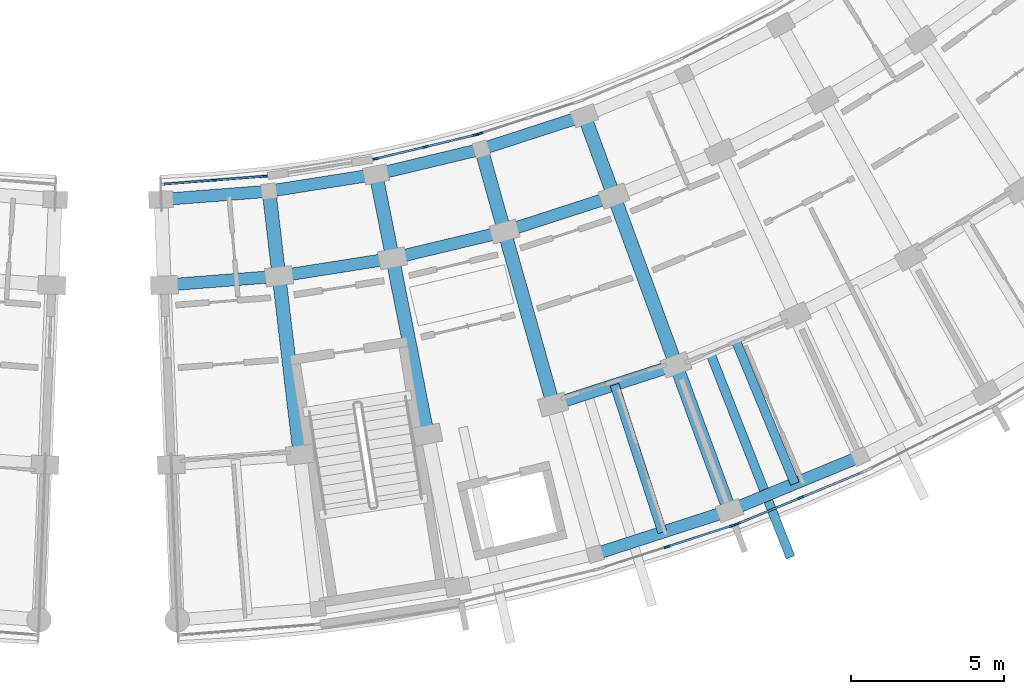
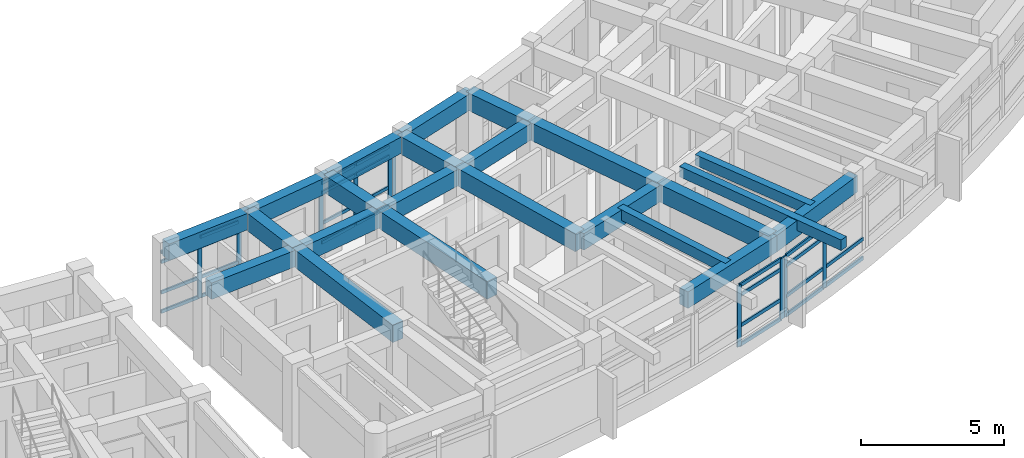
# One storey, part 37 of 83: 36 members, 23 beams, 5 elements without a shape of their own.
"""IFC4 building model written with IfcOpenShell, lengths in metres."""

import ifcopenshell
import ifcopenshell.guid

model = None  # the IFC model being written
_history = None  # IfcOwnerHistory: only IFC2X3 demands one
_inside = {}  # id of a spatial element -> (the spatial element, [elements in it])
_under = {}  # id of a project, library or spatial element -> (it, [spatial elements below it])
_declared = {}  # id of a project -> (the project, [libraries it declares])
_typed = {}  # id of a type object -> (the type object, [elements of that type])
_made_of = {}  # id of a material, layer set ... -> (it, [elements and type objects made of it])


def new_model(schema):
    """Start an empty IFC model of exactly this schema.

    Asked for "IFC4X3", IfcOpenShell would pick the latest addendum, in which some entities
    have other attributes; the version numbers below select the first issue.
    IFC2X3 requires an IfcOwnerHistory on every rooted entity: one is made here for all.
    """
    global model, _history
    if schema == "IFC4X3":
        model = ifcopenshell.file(schema_version=(4, 3, 0, 0))
    else:
        model = ifcopenshell.file(schema=schema)
    _inside.clear()
    _under.clear()
    _declared.clear()
    _typed.clear()
    _made_of.clear()
    _history = None
    if model.schema == "IFC2X3":
        org = make("IfcOrganization", Name="unknown")
        user = make(
            "IfcPersonAndOrganization",
            ThePerson=make("IfcPerson", FamilyName="unknown"),
            TheOrganization=org,
        )
        app = make(
            "IfcApplication",
            ApplicationDeveloper=org,
            Version="unknown",
            ApplicationFullName="unknown",
            ApplicationIdentifier="unknown",
        )
        _history = make(
            "IfcOwnerHistory",
            OwningUser=user,
            OwningApplication=app,
            ChangeAction="ADDED",
            CreationDate=0,
        )
    return model


def make(cls, **values):
    """One entity of the class cls with the attributes given. An attribute that is None is left unset."""
    return model.create_entity(
        cls, **{name: value for name, value in values.items() if value is not None}
    )


def rooted(cls, **values):
    """An entity with a GlobalId (a new one), such as an element, a storey or a relation."""
    return make(cls, GlobalId=ifcopenshell.guid.new(), OwnerHistory=_history, **values)


def si_unit(unit_type, name, prefix=None):
    """IfcSIUnit, for example si_unit("LENGTHUNIT", "METRE", prefix="MILLI")."""
    return make("IfcSIUnit", UnitType=unit_type, Prefix=prefix, Name=name)


def assignment(units):
    """IfcUnitAssignment: the units of a project."""
    return None if units is None else make("IfcUnitAssignment", Units=units)


def point(xyz):
    """IfcCartesianPoint."""
    return None if xyz is None else make("IfcCartesianPoint", Coordinates=xyz)


def direction(xyz):
    """IfcDirection."""
    return None if xyz is None else make("IfcDirection", DirectionRatios=xyz)


def frame(location, z_axis=None, x_axis=None):
    """IfcAxis2Placement3D, a coordinate frame: its origin and axes. An axis left out is left unset."""
    return make(
        "IfcAxis2Placement3D",
        Location=point(location),
        Axis=direction(z_axis),
        RefDirection=direction(x_axis),
    )


def frame_2d(location, x_axis=None):
    """IfcAxis2Placement2D, a coordinate frame in the plane: its origin and x axis."""
    return make(
        "IfcAxis2Placement2D", Location=point(location), RefDirection=direction(x_axis)
    )


def origin():
    """The frame at (0, 0, 0) with its axes left unset."""
    return frame((0.0, 0.0, 0.0))


def origin_2d():
    """The frame at (0, 0) in the plane with its x axis left unset."""
    return frame_2d((0.0, 0.0))


def place(relative_to, where):
    """IfcLocalPlacement: puts the frame where relative to a parent placement (None: the world)."""
    return make(
        "IfcLocalPlacement", PlacementRelTo=relative_to, RelativePlacement=where
    )


def context(
    kind, dimensions, precision=None, world=None, true_north=None, identifier=None
):
    """IfcGeometricRepresentationContext, for example the 3D "Model" context."""
    return make(
        "IfcGeometricRepresentationContext",
        ContextIdentifier=identifier,
        ContextType=kind,
        CoordinateSpaceDimension=dimensions,
        Precision=precision,
        WorldCoordinateSystem=world,
        TrueNorth=true_north,
    )


def subcontext(parent, identifier, kind, view, scale=None):
    """IfcGeometricRepresentationSubContext, for example "Body" below "Model"."""
    return make(
        "IfcGeometricRepresentationSubContext",
        ContextIdentifier=identifier,
        ContextType=kind,
        ParentContext=parent,
        TargetScale=scale,
        TargetView=view,
    )


def project(units=None, contexts=None):
    """IfcProject with its units and contexts."""
    return rooted(
        "IfcProject",
        Name="project",
        RepresentationContexts=contexts,
        UnitsInContext=assignment(units),
    )


def spatial(cls, under=None, at=None, **own):
    """A site, building, storey or space (cls), placed at a placement, below another one or the project."""
    s = rooted(cls, ObjectPlacement=at, **own)
    if under is not None:
        _under.setdefault(under.id(), (under, []))[1].append(s)
    return s


def profile(cls, at=None, kind="AREA", **sizes):
    """A parametric profile (cls). Its sizes go by their IFC names, for example OverallWidth=200.0."""
    return make(cls, ProfileType=kind, Position=at, **sizes)


def rectangle(**sizes):
    """IfcRectangleProfileDef."""
    return profile("IfcRectangleProfileDef", **sizes)


def extrude(swept, where, along, depth):
    """IfcExtrudedAreaSolid: the profile swept, set in the frame where, extruded along a direction by depth."""
    return make(
        "IfcExtrudedAreaSolid",
        SweptArea=swept,
        Position=where,
        ExtrudedDirection=direction(along),
        Depth=depth,
    )


def shape(context_of_items, identifier, shape_type, items):
    """IfcShapeRepresentation: the items that make up one representation, for example the "Body"."""
    return make(
        "IfcShapeRepresentation",
        ContextOfItems=context_of_items,
        RepresentationIdentifier=identifier,
        RepresentationType=shape_type,
        Items=items,
    )


def material(Name=None, Category=None):
    """IfcMaterial."""
    return make("IfcMaterial", Name=Name, Category=Category)


def material_profile(
    of_material, cross_section, Name=None, Category=None, Priority=None
):
    """IfcMaterialProfile: a cross section and its material."""
    return make(
        "IfcMaterialProfile",
        Name=Name,
        Material=of_material,
        Profile=cross_section,
        Priority=Priority,
        Category=Category,
    )


def profile_set(profiles, Name=None, composite=None):
    """IfcMaterialProfileSet."""
    return make(
        "IfcMaterialProfileSet",
        Name=Name,
        MaterialProfiles=profiles,
        CompositeProfile=composite,
    )


def made_of(thing, what):
    """Note that an element or type object is made of a material, layer set ...; save() writes the relation."""
    if what is not None:
        _made_of.setdefault(what.id(), (what, []))[1].append(thing)
    return thing


def type_object(cls, material=None, **own):
    """A type object (cls), such as IfcWallType, which elements share."""
    return made_of(rooted(cls, **own), material)


def element(
    cls,
    number,
    at=None,
    inside=None,
    cuts=None,
    type_object=None,
    material=None,
    context=None,
    identifier="Body",
    shape_type=None,
    held_by="IfcProductDefinitionShape",
    body=None,
    shapes=None,
    **own,
):
    """One element of the class cls, such as IfcWall. Its Tag is "e" and its number.

    at: its placement. inside: the storey or other place that contains it. cuts: it is an
    opening in that element (IfcRelVoidsElement). A single representation is given by context,
    identifier, shape_type and body (its items); several are given by shapes. held_by: the class
    of the entity that holds the representations. save() writes the other relations.
    """
    e = rooted(cls, Tag="e%d" % number, ObjectPlacement=at, **own)
    if body is not None:
        shapes = [shape(context, identifier, shape_type, body)]
    if shapes is not None:
        e.Representation = make(held_by, Representations=shapes)
    if inside is not None:
        _inside.setdefault(inside.id(), (inside, []))[1].append(e)
    if cuts is not None:
        rooted(
            "IfcRelVoidsElement", RelatingBuildingElement=cuts, RelatedOpeningElement=e
        )
    if type_object is not None:
        _typed.setdefault(type_object.id(), (type_object, []))[1].append(e)
    return made_of(e, material)


def aggregate(whole, parts):
    """IfcRelAggregates: a whole, such as a stair, and the parts it consists of."""
    return rooted("IfcRelAggregates", RelatingObject=whole, RelatedObjects=parts)


def save(model, path):
    """Write the relations noted so far, then the file.

    IfcRelAggregates (storeys below a building ...), IfcRelContainedInSpatialStructure (elements
    in a storey), IfcRelDefinesByType, IfcRelAssociatesMaterial and IfcRelDeclares: one each for
    every whole, place, type object, material and project.
    """
    for whole, parts in _under.values():
        aggregate(whole, parts)
    for where, things in _inside.values():
        rooted(
            "IfcRelContainedInSpatialStructure",
            RelatedElements=things,
            RelatingStructure=where,
        )
    for kind, things in _typed.values():
        rooted("IfcRelDefinesByType", RelatedObjects=things, RelatingType=kind)
    for what, things in _made_of.values():
        rooted("IfcRelAssociatesMaterial", RelatedObjects=things, RelatingMaterial=what)
    for by, libraries in _declared.values():
        rooted("IfcRelDeclares", RelatingContext=by, RelatedDefinitions=libraries)
    model.write(path)


model = new_model("IFC4")

# Units and contexts
model_context = context("Model", 3, precision=1e-05, world=origin(), true_north=direction((0.0, 1.0)))
body_context = subcontext(model_context, "Body", "Model", "MODEL_VIEW")
ifc_project = project(units=[si_unit("LENGTHUNIT", "METRE"), si_unit("AREAUNIT", "SQUARE_METRE"), si_unit("VOLUMEUNIT", "CUBIC_METRE"), si_unit("PLANEANGLEUNIT", "RADIAN"), si_unit("MASSUNIT", "GRAM", prefix="KILO")], contexts=[model_context])

# Site, building, storey
site_placement = place(None, origin())
site = spatial("IfcSite", under=ifc_project, at=site_placement, CompositionType="ELEMENT")
building_placement = place(site_placement, origin())
building = spatial("IfcBuilding", under=site, at=building_placement, Name="Zimvara Arc Housing Community", CompositionType="ELEMENT")
storey_placement = place(building_placement, frame((0.0, 0.0, 4.5)))
storey = spatial("IfcBuildingStorey", under=building, at=storey_placement, Name="L01", CompositionType="ELEMENT", Elevation=4.5)

# Beams
ifc_material_1 = material(Name="Concrete C40/50", Category="concrete")
ifc_material_profile_1 = material_profile(ifc_material_1, rectangle(XDim=0.300048828125, YDim=0.449951171875, at=origin_2d()), Name="RC 300x450")
ifc_profile_set_1 = profile_set([ifc_material_profile_1], Name="Concrete C40/50")
beam_type_1 = type_object("IfcBeamType", Name="BM-RC-300x450", PredefinedType="JOIST", material=ifc_profile_set_1)
beam_1_placement = place(storey_placement, frame((142.547607421875, 58.718017578125, 3.135009765625), z_axis=(0.308208278328, -0.951318904033, 0.0), x_axis=(0.951318904033, 0.308208278328, 0.0)))
element("IfcBeam", 1, at=beam_1_placement, inside=storey, type_object=beam_type_1, Name="bm:blkD:L01:joist:b3", PredefinedType="JOIST", context=body_context, shape_type="SweptSolid", body=[
    extrude(rectangle(XDim=0.300048828125, YDim=0.449951171875, at=origin_2d()), origin(), (0.0, 0.0, 1.0), 5.075927734375),
])
beam_2_placement = place(storey_placement, frame((146.509033203125, 60.17578125, 3.135009765625), z_axis=(0.381881623909, -0.924211244966, 0.0), x_axis=(0.924211244966, 0.381881623909, 0.0)))
element("IfcBeam", 2, at=beam_2_placement, inside=storey, type_object=beam_type_1, Name="bm:blkD:L01:joist:b4", PredefinedType="JOIST", context=body_context, shape_type="SweptSolid", body=[
    extrude(rectangle(XDim=0.300048828125, YDim=0.449951171875, at=origin_2d()), origin(), (0.0, 0.0, 1.0), 5.076171875),
])
beam_3_placement = place(storey_placement, frame((145.662841796875, 59.789794921875, 3.1650390625), z_axis=(0.365839634119, -0.930677904598, 0.0), x_axis=(0.930677904598, 0.365839634119, 0.0)))
element("IfcBeam", 3, at=beam_3_placement, inside=storey, type_object=beam_type_1, Name="bm:blkD:L01:cant_out:b4", PredefinedType="JOIST", context=body_context, shape_type="SweptSolid", body=[
    extrude(rectangle(XDim=0.300048828125, YDim=0.449951171875, at=origin_2d()), origin(), (0.0, 0.0, 1.0), 7.219970703125),
])
ifc_material_2 = material(Name="Concrete C40/50", Category="concrete")
ifc_material_profile_2 = material_profile(ifc_material_2, rectangle(XDim=0.39990234375, YDim=0.699951171875, at=origin_2d()), Name="RC 400x700")
ifc_profile_set_2 = profile_set([ifc_material_profile_2], Name="Concrete C40/50")
beam_type_2 = type_object("IfcBeamType", Name="BM-RC-400x700", PredefinedType="BEAM", material=ifc_profile_set_2)
beam_4_placement = place(storey_placement, frame((127.712158203125, 64.773193359375, 3.010009765625), z_axis=(0.996984758472, 0.077597624804, 0.0), x_axis=(-0.077597624804, 0.996984758472, 0.0)))
element("IfcBeam", 4, at=beam_4_placement, inside=storey, type_object=beam_type_2, Name="bm:blkD:L01:chord:r0:b0", PredefinedType="BEAM", context=body_context, shape_type="SweptSolid", body=[
    extrude(rectangle(XDim=0.39990234375, YDim=0.699951171875, at=origin_2d()), origin(), (0.0, 0.0, 1.0), 3.542724609375),
])
beam_5_placement = place(storey_placement, frame((131.244140625, 65.048095703125, 3.010009765625), z_axis=(0.98782044699, 0.155598086453, 0.0), x_axis=(-0.155598086453, 0.98782044699, 0.0)))
element("IfcBeam", 5, at=beam_5_placement, inside=storey, type_object=beam_type_2, Name="bm:blkD:L01:chord:r0:b1", PredefinedType="BEAM", context=body_context, shape_type="SweptSolid", body=[
    extrude(rectangle(XDim=0.39990234375, YDim=0.699951171875, at=origin_2d()), origin(), (0.0, 0.0, 1.0), 3.54296875),
])
for number, where, z_axis, x_axis, name in (
    (6, (134.743896484375, 65.599365234375, 3.010009765625), (0.972576519525, 0.232583132813, 0.0), (-0.232583132813, 0.972576519525, 0.0), "bm:blkD:L01:chord:r0:b2"),
    (7, (138.189453125, 66.42333984375, 3.010009765625), (0.951329887165, 0.308174375618, 0.0), (-0.308174375618, 0.951329887165, 0.0), "bm:blkD:L01:chord:r0:b3"),
):
    element("IfcBeam", number, at=place(storey_placement, frame(where, z_axis=z_axis, x_axis=x_axis)), inside=storey, type_object=beam_type_2, Name=name, PredefinedType="BEAM", context=body_context, shape_type="SweptSolid", body=[
        extrude(rectangle(XDim=0.39990234375, YDim=0.699951171875, at=origin_2d()), origin(), (0.0, 0.0, 1.0), 3.542724609375),
    ])
beam_6_placement = place(storey_placement, frame((127.819580078125, 61.975341796875, 3.010009765625), z_axis=(0.996984223393, 0.077604499263, 0.0), x_axis=(-0.077604499263, 0.996984223393, 0.0)))
element("IfcBeam", 8, at=beam_6_placement, inside=storey, type_object=beam_type_2, Name="bm:blkD:L01:chord:r1:b0", PredefinedType="BEAM", context=body_context, shape_type="SweptSolid", body=[
    extrude(rectangle(XDim=0.39990234375, YDim=0.699951171875, at=origin_2d()), origin(), (0.0, 0.0, 1.0), 3.762451171875),
])
beam_7_placement = place(storey_placement, frame((131.57080078125, 62.267333984375, 3.010009765625), z_axis=(0.987830739488, 0.155532730068, 0.0), x_axis=(-0.155532730068, 0.987830739488, 0.0)))
element("IfcBeam", 9, at=beam_7_placement, inside=storey, type_object=beam_type_2, Name="bm:blkD:L01:chord:r1:b1", PredefinedType="BEAM", context=body_context, shape_type="SweptSolid", body=[
    extrude(rectangle(XDim=0.39990234375, YDim=0.699951171875, at=origin_2d()), origin(), (0.0, 0.0, 1.0), 3.7626953125),
])
beam_8_placement = place(storey_placement, frame((135.28759765625, 62.8525390625, 3.010009765625), z_axis=(0.97257251046, 0.232599896598, 0.0), x_axis=(-0.232599896598, 0.97257251046, 0.0)))
element("IfcBeam", 10, at=beam_8_placement, inside=storey, type_object=beam_type_2, Name="bm:blkD:L01:chord:r1:b2", PredefinedType="BEAM", context=body_context, shape_type="SweptSolid", body=[
    extrude(rectangle(XDim=0.39990234375, YDim=0.699951171875, at=origin_2d()), origin(), (0.0, 0.0, 1.0), 3.762939453125),
])
beam_9_placement = place(storey_placement, frame((138.947265625, 63.727783203125, 3.010009765625), z_axis=(0.951316439628, 0.308215884881, 0.0), x_axis=(-0.308215884881, 0.951316439628, 0.0)))
element("IfcBeam", 11, at=beam_9_placement, inside=storey, type_object=beam_type_2, Name="bm:blkD:L01:chord:r1:b3", PredefinedType="BEAM", context=body_context, shape_type="SweptSolid", body=[
    extrude(rectangle(XDim=0.39990234375, YDim=0.699951171875, at=origin_2d()), origin(), (0.0, 0.0, 1.0), 3.762451171875),
])
beam_10_placement = place(storey_placement, frame((140.538330078125, 58.067138671875, 3.010009765625), z_axis=(0.951319487454, 0.308206477528, 0.0), x_axis=(-0.308206477528, 0.951319487454, 0.0)))
element("IfcBeam", 12, at=beam_10_placement, inside=storey, type_object=beam_type_2, Name="bm:blkD:L01:chord:r2:b3", PredefinedType="BEAM", context=body_context, shape_type="SweptSolid", body=[
    extrude(rectangle(XDim=0.39990234375, YDim=0.699951171875, at=origin_2d()), origin(), (0.0, 0.0, 1.0), 4.224365234375),
])
beam_11_placement = place(storey_placement, frame((141.912841796875, 53.1767578125, 3.010009765625), z_axis=(0.951331650007, 0.308168933695, 0.0), x_axis=(-0.308168933695, 0.951331650007, 0.0)))
element("IfcBeam", 13, at=beam_11_placement, inside=storey, type_object=beam_type_2, Name="bm:blkD:L01:chord:r3:b3", PredefinedType="BEAM", context=body_context, shape_type="SweptSolid", body=[
    extrude(rectangle(XDim=0.39990234375, YDim=0.699951171875, at=origin_2d()), origin(), (0.0, 0.0, 1.0), 4.62353515625),
])
beam_12_placement = place(storey_placement, frame((146.311279296875, 54.6015625, 3.010009765625), z_axis=(0.924218077134, 0.38186508861, 0.0), x_axis=(-0.38186508861, 0.924218077134, 0.0)))
element("IfcBeam", 14, at=beam_12_placement, inside=storey, type_object=beam_type_2, Name="bm:blkD:L01:chord:r3:b4", PredefinedType="BEAM", context=body_context, shape_type="SweptSolid", body=[
    extrude(rectangle(XDim=0.39990234375, YDim=0.699951171875, at=origin_2d()), origin(), (0.0, 0.0, 1.0), 4.623046875),
])
ifc_material_3 = material(Name="Concrete C40/50", Category="concrete")
ifc_material_profile_3 = material_profile(ifc_material_3, rectangle(XDim=0.449951171875, YDim=0.75, at=origin_2d()), Name="RC 450x750")
ifc_profile_set_3 = profile_set([ifc_material_profile_3], Name="Concrete C40/50")
beam_type_3 = type_object("IfcBeamType", Name="BM-RC-450x750", PredefinedType="BEAM", material=ifc_profile_set_3)
beam_13_placement = place(storey_placement, frame((131.244140625, 65.048095703125, 2.985107421875), z_axis=(0.116669233141, -0.993170826212, 0.0), x_axis=(0.993170826212, 0.116669233141, 0.0)))
element("IfcBeam", 15, at=beam_13_placement, inside=storey, type_object=beam_type_3, Name="bm:blkD:L01:rad:b1:r01", PredefinedType="BEAM", context=body_context, shape_type="SweptSolid", body=[
    extrude(rectangle(XDim=0.449951171875, YDim=0.75, at=origin_2d()), origin(), (0.0, 0.0, 1.0), 2.7998046875),
])
beam_14_placement = place(storey_placement, frame((131.57080078125, 62.267333984375, 2.985107421875), z_axis=(0.116672613124, -0.993170429154, 0.0), x_axis=(0.993170429154, 0.116672613124, 0.0)))
element("IfcBeam", 16, at=beam_14_placement, inside=storey, type_object=beam_type_3, Name="bm:blkD:L01:rad:b1:r12", PredefinedType="BEAM", context=body_context, shape_type="SweptSolid", body=[
    extrude(rectangle(XDim=0.449951171875, YDim=0.75, at=origin_2d()), origin(), (0.0, 0.0, 1.0), 5.8798828125),
])
beam_15_placement = place(storey_placement, frame((134.743896484375, 65.599365234375, 2.985107421875), z_axis=(0.194170755423, -0.980967745514, 0.0), x_axis=(0.980967745514, 0.194170755423, 0.0)))
element("IfcBeam", 17, at=beam_15_placement, inside=storey, type_object=beam_type_3, Name="bm:blkD:L01:rad:b2:r01", PredefinedType="BEAM", context=body_context, shape_type="SweptSolid", body=[
    extrude(rectangle(XDim=0.449951171875, YDim=0.75, at=origin_2d()), origin(), (0.0, 0.0, 1.0), 2.800048828125),
])
beam_16_placement = place(storey_placement, frame((135.28759765625, 62.8525390625, 2.985107421875), z_axis=(0.194239306935, -0.980954174078, 0.0), x_axis=(0.980954174078, 0.194239306935, 0.0)))
element("IfcBeam", 18, at=beam_16_placement, inside=storey, type_object=beam_type_3, Name="bm:blkD:L01:rad:b2:r12", PredefinedType="BEAM", context=body_context, shape_type="SweptSolid", body=[
    extrude(rectangle(XDim=0.449951171875, YDim=0.75, at=origin_2d()), origin(), (0.0, 0.0, 1.0), 5.8798828125),
])
beam_17_placement = place(storey_placement, frame((138.189453125, 66.42333984375, 2.985107421875), z_axis=(0.270642050381, -0.962680050986, 0.0), x_axis=(0.962680050986, 0.270642050381, 0.0)))
element("IfcBeam", 19, at=beam_17_placement, inside=storey, type_object=beam_type_3, Name="bm:blkD:L01:rad:b3:r01", PredefinedType="BEAM", context=body_context, shape_type="SweptSolid", body=[
    extrude(rectangle(XDim=0.449951171875, YDim=0.75, at=origin_2d()), origin(), (0.0, 0.0, 1.0), 2.800048828125),
])
beam_18_placement = place(storey_placement, frame((138.947265625, 63.727783203125, 2.985107421875), z_axis=(0.270589260785, -0.962694890372, 0.0), x_axis=(0.962694890372, 0.270589260785, 0.0)))
element("IfcBeam", 20, at=beam_18_placement, inside=storey, type_object=beam_type_3, Name="bm:blkD:L01:rad:b3:r12", PredefinedType="BEAM", context=body_context, shape_type="SweptSolid", body=[
    extrude(rectangle(XDim=0.449951171875, YDim=0.75, at=origin_2d()), origin(), (0.0, 0.0, 1.0), 5.8798828125),
])
beam_19_placement = place(storey_placement, frame((141.559814453125, 67.51513671875, 2.985107421875), z_axis=(0.345297205079, -0.93849338845, 0.0), x_axis=(0.93849338845, 0.345297205079, 0.0)))
element("IfcBeam", 21, at=beam_19_placement, inside=storey, type_object=beam_type_3, Name="bm:blkD:L01:rad:b4:r01", PredefinedType="BEAM", context=body_context, shape_type="SweptSolid", body=[
    extrude(rectangle(XDim=0.449951171875, YDim=0.75, at=origin_2d()), origin(), (0.0, 0.0, 1.0), 2.7998046875),
])
beam_20_placement = place(storey_placement, frame((142.526611328125, 64.887451171875, 2.985107421875), z_axis=(0.345324356241, -0.938483398354, 0.0), x_axis=(0.938483398354, 0.345324356241, 0.0)))
element("IfcBeam", 22, at=beam_20_placement, inside=storey, type_object=beam_type_3, Name="bm:blkD:L01:rad:b4:r12", PredefinedType="BEAM", context=body_context, shape_type="SweptSolid", body=[
    extrude(rectangle(XDim=0.449951171875, YDim=0.75, at=origin_2d()), origin(), (0.0, 0.0, 1.0), 5.880126953125),
])
beam_21_placement = place(storey_placement, frame((144.55712890625, 59.369140625, 2.985107421875), z_axis=(0.345302219392, -0.938491543533, 0.0), x_axis=(0.938491543533, 0.345302219392, 0.0)))
element("IfcBeam", 23, at=beam_21_placement, inside=storey, type_object=beam_type_3, Name="bm:blkD:L01:rad:b4:r23", PredefinedType="BEAM", context=body_context, shape_type="SweptSolid", body=[
    extrude(rectangle(XDim=0.449951171875, YDim=0.75, at=origin_2d()), origin(), (0.0, 0.0, 1.0), 5.080078125),
])

# Curtain wall, members
ifc_material_4 = material(Name="Anodised Aluminium AW-6063", Category="aluminium")
curtain_wall_type_1 = type_object("IfcCurtainWallType", Name="CW-SYS-06", PredefinedType="USERDEFINED", material=ifc_material_4)
curtain_wall_1_placement = place(storey_placement, origin())
curtain_wall_1 = element("IfcCurtainWall", 24, at=curtain_wall_1_placement, inside=storey, type_object=curtain_wall_type_1, Name="cw:blkD:L01:in:b0", ObjectType="CURTAIN WALL", PredefinedType="USERDEFINED")
ifc_material_5 = material(Name="Anodised Aluminium AW-6063", Category="aluminium")
ifc_material_profile_4 = material_profile(ifc_material_5, rectangle(XDim=0.06494140625, YDim=0.179931640625, at=origin_2d()), Name="ALU 65x180")
ifc_profile_set_4 = profile_set([ifc_material_profile_4], Name="Anodised Aluminium AW-6063")
member_type_1 = type_object("IfcMemberType", Name="CWM-65x150", PredefinedType="MULLION", material=ifc_profile_set_4)
member_1_placement = place(storey_placement, frame((129.439453125, 65.40869140625, 0.0), z_axis=(0.0, 0.0, 1.0), x_axis=(-0.077590099579, 0.996985344149, 0.0)))
member_1 = element("IfcMember", 25, at=member_1_placement, type_object=member_type_1, Name="CW06 mullion 2", PredefinedType="MULLION", context=body_context, shape_type="SweptSolid", body=[
    extrude(rectangle(XDim=0.06494140625, YDim=0.179931640625, at=origin_2d()), origin(), (0.0, 0.0, 1.0), 2.60009765625),
])
member_2_placement = place(storey_placement, frame((131.09375, 65.53759765625, 0.0), z_axis=(0.0, 0.0, 1.0), x_axis=(-0.077590099579, 0.996985344149, 0.0)))
member_2 = element("IfcMember", 26, at=member_2_placement, type_object=member_type_1, Name="CW06 mullion 3", PredefinedType="MULLION", context=body_context, shape_type="SweptSolid", body=[
    extrude(rectangle(XDim=0.06494140625, YDim=0.179931640625, at=origin_2d()), origin(), (0.0, 0.0, 1.0), 2.60009765625),
])

ifc_material_6 = material(Name="Anodised Aluminium AW-6063", Category="aluminium")
curtain_wall_type_2 = type_object("IfcCurtainWallType", Name="CW-SYS-08", PredefinedType="USERDEFINED", material=ifc_material_6)
curtain_wall_2_placement = place(storey_placement, origin())
curtain_wall_2 = element("IfcCurtainWall", 27, at=curtain_wall_2_placement, inside=storey, type_object=curtain_wall_type_2, Name="cw:blkD:L01:in:b2", ObjectType="CURTAIN WALL", PredefinedType="USERDEFINED")
member_3_placement = place(storey_placement, frame((134.73681640625, 66.111328125, 0.0), z_axis=(0.0, 0.0, 1.0), x_axis=(-0.232596003485, 0.972573441526, 0.0)))
member_3 = element("IfcMember", 28, at=member_3_placement, type_object=member_type_1, Name="CW08 mullion 1", PredefinedType="MULLION", context=body_context, shape_type="SweptSolid", body=[
    extrude(rectangle(XDim=0.06494140625, YDim=0.179931640625, at=origin_2d()), origin(), (0.0, 0.0, 1.0), 2.60009765625),
])
member_4_placement = place(storey_placement, frame((136.3505859375, 66.497314453125, 0.0), z_axis=(0.0, 0.0, 1.0), x_axis=(-0.232596003485, 0.972573441526, 0.0)))
member_4 = element("IfcMember", 29, at=member_4_placement, type_object=member_type_1, Name="CW08 mullion 2", PredefinedType="MULLION", context=body_context, shape_type="SweptSolid", body=[
    extrude(rectangle(XDim=0.06494140625, YDim=0.179931640625, at=origin_2d()), origin(), (0.0, 0.0, 1.0), 2.60009765625),
])
member_5_placement = place(storey_placement, frame((137.964111328125, 66.88330078125, 0.0), z_axis=(0.0, 0.0, 1.0), x_axis=(-0.232596003485, 0.972573441526, 0.0)))
member_5 = element("IfcMember", 30, at=member_5_placement, type_object=member_type_1, Name="CW08 mullion 3", PredefinedType="MULLION", context=body_context, shape_type="SweptSolid", body=[
    extrude(rectangle(XDim=0.06494140625, YDim=0.179931640625, at=origin_2d()), origin(), (0.0, 0.0, 1.0), 2.60009765625),
])

# Curtain wall, member
ifc_material_7 = material(Name="Anodised Aluminium AW-6063", Category="aluminium")
curtain_wall_type_3 = type_object("IfcCurtainWallType", Name="CW-SYS-02", PredefinedType="USERDEFINED", material=ifc_material_7)
curtain_wall_3_placement = place(storey_placement, origin())
curtain_wall_3 = element("IfcCurtainWall", 31, at=curtain_wall_3_placement, inside=storey, type_object=curtain_wall_type_3, Name="cw:blkD:L01:in:b3", ObjectType="CURTAIN WALL", PredefinedType="USERDEFINED")
member_6_placement = place(storey_placement, frame((138.14208984375, 66.93310546875, 0.0), z_axis=(0.0, 0.0, 1.0), x_axis=(-0.308185223559, 0.951326373008, 0.0)))
member_6 = element("IfcMember", 32, at=member_6_placement, type_object=member_type_1, Name="CW02 mullion 1", PredefinedType="MULLION", context=body_context, shape_type="SweptSolid", body=[
    extrude(rectangle(XDim=0.06494140625, YDim=0.179931640625, at=origin_2d()), origin(), (0.0, 0.0, 1.0), 2.60009765625),
])
aggregate(curtain_wall_3, [member_6])

# Curtain wall, members
ifc_material_8 = material(Name="Anodised Aluminium AW-6063", Category="aluminium")
curtain_wall_type_4 = type_object("IfcCurtainWallType", Name="CW-SYS-01", PredefinedType="USERDEFINED", material=ifc_material_8)
curtain_wall_4_placement = place(storey_placement, origin())
curtain_wall_4 = element("IfcCurtainWall", 33, at=curtain_wall_4_placement, inside=storey, type_object=curtain_wall_type_4, Name="cw:blkD:L01:out:b3", ObjectType="CURTAIN WALL", PredefinedType="USERDEFINED")
ifc_material_9 = material(Name="Anodised Aluminium AW-6063", Category="aluminium")
ifc_material_profile_5 = material_profile(ifc_material_9, rectangle(XDim=0.06494140625, YDim=0.195068359375, at=origin_2d()), Name="ALU 65x195")
ifc_profile_set_5 = profile_set([ifc_material_profile_5], Name="Anodised Aluminium AW-6063")
member_type_2 = type_object("IfcMemberType", Name="CWM-65x180", PredefinedType="MULLION", material=ifc_profile_set_5)
member_7_placement = place(storey_placement, frame((144.26611328125, 53.413818359375, 0.0), z_axis=(0.0, 0.0, 1.0), x_axis=(-0.308184952203, 0.951326460914, 0.0)))
member_7 = element("IfcMember", 34, at=member_7_placement, type_object=member_type_2, Name="CW01 mullion 2", PredefinedType="MULLION", context=body_context, shape_type="SweptSolid", body=[
    extrude(rectangle(XDim=0.06494140625, YDim=0.195068359375, at=origin_2d()), origin(), (0.0, 0.0, 1.0), 2.60009765625),
])
member_8_placement = place(storey_placement, frame((146.395751953125, 54.103759765625, 0.0), z_axis=(0.0, 0.0, 1.0), x_axis=(-0.308184952203, 0.951326460914, 0.0)))
member_8 = element("IfcMember", 35, at=member_8_placement, type_object=member_type_2, Name="CW01 mullion 3", PredefinedType="MULLION", context=body_context, shape_type="SweptSolid", body=[
    extrude(rectangle(XDim=0.06494140625, YDim=0.195068359375, at=origin_2d()), origin(), (0.0, 0.0, 1.0), 2.60009765625),
])

ifc_material_10 = material(Name="Anodised Aluminium AW-6063", Category="aluminium")
curtain_wall_type_5 = type_object("IfcCurtainWallType", Name="CW-SYS-03", PredefinedType="USERDEFINED", material=ifc_material_10)
curtain_wall_5_placement = place(storey_placement, origin())
curtain_wall_5 = element("IfcCurtainWall", 36, at=curtain_wall_5_placement, inside=storey, type_object=curtain_wall_type_5, Name="cw:blkD:L01:out:b4", ObjectType="CURTAIN WALL", PredefinedType="USERDEFINED")
member_9_placement = place(storey_placement, frame((146.5693359375, 54.167724609375, 0.0), z_axis=(0.0, 0.0, 1.0), x_axis=(-0.38187646221, 0.924213377749, 0.0)))
member_9 = element("IfcMember", 37, at=member_9_placement, type_object=member_type_2, Name="CW03 mullion 1", PredefinedType="MULLION", context=body_context, shape_type="SweptSolid", body=[
    extrude(rectangle(XDim=0.06494140625, YDim=0.195068359375, at=origin_2d()), origin(), (0.0, 0.0, 1.0), 2.60009765625),
])
member_10_placement = place(storey_placement, frame((148.638427734375, 55.0224609375, 0.0), z_axis=(0.0, 0.0, 1.0), x_axis=(-0.38187646221, 0.924213377749, 0.0)))
member_10 = element("IfcMember", 38, at=member_10_placement, type_object=member_type_2, Name="CW03 mullion 2", PredefinedType="MULLION", context=body_context, shape_type="SweptSolid", body=[
    extrude(rectangle(XDim=0.06494140625, YDim=0.195068359375, at=origin_2d()), origin(), (0.0, 0.0, 1.0), 2.60009765625),
])

# Member
ifc_material_11 = material(Name="Anodised Aluminium AW-6063", Category="aluminium")
ifc_material_profile_6 = material_profile(ifc_material_11, rectangle(XDim=0.06494140625, YDim=0.139892578125, at=origin_2d()), Name="ALU 65x140")
ifc_profile_set_6 = profile_set([ifc_material_profile_6], Name="Anodised Aluminium AW-6063")
member_type_3 = type_object("IfcMemberType", Name="CWT-65x120", PredefinedType="USERDEFINED", material=ifc_profile_set_6)
member_11_placement = place(storey_placement, frame((127.8173828125, 65.282470703125, 0.032470703125), z_axis=(0.996981987707, 0.077633215753, 0.0), x_axis=(-0.077633215753, 0.996981987707, 0.0)))
member_11 = element("IfcMember", 39, at=member_11_placement, type_object=member_type_3, Name="CW06 transom 1.1", ObjectType="TRANSOM", PredefinedType="USERDEFINED", context=body_context, shape_type="SweptSolid", body=[
    extrude(rectangle(XDim=0.06494140625, YDim=0.139892578125, at=origin_2d()), origin(), (0.0, 0.0, 1.0), 1.594482421875),
])

member_12_placement = place(storey_placement, frame((127.8173828125, 65.282470703125, 0.85009765625), z_axis=(0.996981987707, 0.077633215753, 0.0), x_axis=(-0.077633215753, 0.996981987707, 0.0)))
member_12 = element("IfcMember", 40, at=member_12_placement, type_object=member_type_3, Name="CW06 transom 1.2", ObjectType="TRANSOM", PredefinedType="USERDEFINED", context=body_context, shape_type="SweptSolid", body=[
    extrude(rectangle(XDim=0.06494140625, YDim=0.139892578125, at=origin_2d()), origin(), (0.0, 0.0, 1.0), 1.594482421875),
])

member_13_placement = place(storey_placement, frame((127.8173828125, 65.282470703125, 2.14990234375), z_axis=(0.996981987707, 0.077633215753, 0.0), x_axis=(-0.077633215753, 0.996981987707, 0.0)))
member_13 = element("IfcMember", 41, at=member_13_placement, type_object=member_type_3, Name="CW06 transom 1.3", ObjectType="TRANSOM", PredefinedType="USERDEFINED", context=body_context, shape_type="SweptSolid", body=[
    extrude(rectangle(XDim=0.06494140625, YDim=0.139892578125, at=origin_2d()), origin(), (0.0, 0.0, 1.0), 1.594482421875),
])

member_14_placement = place(storey_placement, frame((127.8173828125, 65.282470703125, 2.5673828125), z_axis=(0.996981987707, 0.077633215753, 0.0), x_axis=(-0.077633215753, 0.996981987707, 0.0)))
member_14 = element("IfcMember", 42, at=member_14_placement, type_object=member_type_3, Name="CW06 transom 1.4", ObjectType="TRANSOM", PredefinedType="USERDEFINED", context=body_context, shape_type="SweptSolid", body=[
    extrude(rectangle(XDim=0.06494140625, YDim=0.139892578125, at=origin_2d()), origin(), (0.0, 0.0, 1.0), 1.594482421875),
])

member_15_placement = place(storey_placement, frame((129.4716796875, 65.411376953125, 0.032470703125), z_axis=(0.996993827762, 0.077481013185, 0.0), x_axis=(-0.077481013185, 0.996993827762, 0.0)))
member_15 = element("IfcMember", 43, at=member_15_placement, type_object=member_type_3, Name="CW06 transom 2.1", ObjectType="TRANSOM", PredefinedType="USERDEFINED", context=body_context, shape_type="SweptSolid", body=[
    extrude(rectangle(XDim=0.06494140625, YDim=0.139892578125, at=origin_2d()), origin(), (0.0, 0.0, 1.0), 1.594482421875),
])

member_16_placement = place(storey_placement, frame((129.4716796875, 65.411376953125, 0.85009765625), z_axis=(0.996993827762, 0.077481013185, 0.0), x_axis=(-0.077481013185, 0.996993827762, 0.0)))
member_16 = element("IfcMember", 44, at=member_16_placement, type_object=member_type_3, Name="CW06 transom 2.2", ObjectType="TRANSOM", PredefinedType="USERDEFINED", context=body_context, shape_type="SweptSolid", body=[
    extrude(rectangle(XDim=0.06494140625, YDim=0.139892578125, at=origin_2d()), origin(), (0.0, 0.0, 1.0), 1.594482421875),
])

member_17_placement = place(storey_placement, frame((129.4716796875, 65.411376953125, 2.14990234375), z_axis=(0.996993827762, 0.077481013185, 0.0), x_axis=(-0.077481013185, 0.996993827762, 0.0)))
member_17 = element("IfcMember", 45, at=member_17_placement, type_object=member_type_3, Name="CW06 transom 2.3", ObjectType="TRANSOM", PredefinedType="USERDEFINED", context=body_context, shape_type="SweptSolid", body=[
    extrude(rectangle(XDim=0.06494140625, YDim=0.139892578125, at=origin_2d()), origin(), (0.0, 0.0, 1.0), 1.594482421875),
])

member_18_placement = place(storey_placement, frame((129.4716796875, 65.411376953125, 2.5673828125), z_axis=(0.996993827762, 0.077481013185, 0.0), x_axis=(-0.077481013185, 0.996993827762, 0.0)))
member_18 = element("IfcMember", 46, at=member_18_placement, type_object=member_type_3, Name="CW06 transom 2.4", ObjectType="TRANSOM", PredefinedType="USERDEFINED", context=body_context, shape_type="SweptSolid", body=[
    extrude(rectangle(XDim=0.06494140625, YDim=0.139892578125, at=origin_2d()), origin(), (0.0, 0.0, 1.0), 1.594482421875),
])

aggregate(curtain_wall_1, [member_1, member_2, member_11, member_12, member_13, member_14, member_15, member_16, member_17, member_18])

member_19_placement = place(storey_placement, frame((134.768310546875, 66.118896484375, 0.032470703125), z_axis=(0.972569101566, 0.232614149784, 0.0), x_axis=(-0.232614149784, 0.972569101566, 0.0)))
member_19 = element("IfcMember", 47, at=member_19_placement, type_object=member_type_3, Name="CW08 transom 1.1", ObjectType="TRANSOM", PredefinedType="USERDEFINED", context=body_context, shape_type="SweptSolid", body=[
    extrude(rectangle(XDim=0.06494140625, YDim=0.139892578125, at=origin_2d()), origin(), (0.0, 0.0, 1.0), 1.59423828125),
])

member_20_placement = place(storey_placement, frame((134.768310546875, 66.118896484375, 0.85009765625), z_axis=(0.972569101566, 0.232614149784, 0.0), x_axis=(-0.232614149784, 0.972569101566, 0.0)))
member_20 = element("IfcMember", 48, at=member_20_placement, type_object=member_type_3, Name="CW08 transom 1.2", ObjectType="TRANSOM", PredefinedType="USERDEFINED", context=body_context, shape_type="SweptSolid", body=[
    extrude(rectangle(XDim=0.06494140625, YDim=0.139892578125, at=origin_2d()), origin(), (0.0, 0.0, 1.0), 1.59423828125),
])

member_21_placement = place(storey_placement, frame((134.768310546875, 66.118896484375, 2.14990234375), z_axis=(0.972569101566, 0.232614149784, 0.0), x_axis=(-0.232614149784, 0.972569101566, 0.0)))
member_21 = element("IfcMember", 49, at=member_21_placement, type_object=member_type_3, Name="CW08 transom 1.3", ObjectType="TRANSOM", PredefinedType="USERDEFINED", context=body_context, shape_type="SweptSolid", body=[
    extrude(rectangle(XDim=0.06494140625, YDim=0.139892578125, at=origin_2d()), origin(), (0.0, 0.0, 1.0), 1.59423828125),
])

member_22_placement = place(storey_placement, frame((134.768310546875, 66.118896484375, 2.5673828125), z_axis=(0.972569101566, 0.232614149784, 0.0), x_axis=(-0.232614149784, 0.972569101566, 0.0)))
member_22 = element("IfcMember", 50, at=member_22_placement, type_object=member_type_3, Name="CW08 transom 1.4", ObjectType="TRANSOM", PredefinedType="USERDEFINED", context=body_context, shape_type="SweptSolid", body=[
    extrude(rectangle(XDim=0.06494140625, YDim=0.139892578125, at=origin_2d()), origin(), (0.0, 0.0, 1.0), 1.59423828125),
])

member_23_placement = place(storey_placement, frame((136.382080078125, 66.5048828125, 0.032470703125), z_axis=(0.972569101566, 0.232614149784, 0.0), x_axis=(-0.232614149784, 0.972569101566, 0.0)))
member_23 = element("IfcMember", 51, at=member_23_placement, type_object=member_type_3, Name="CW08 transom 2.1", ObjectType="TRANSOM", PredefinedType="USERDEFINED", context=body_context, shape_type="SweptSolid", body=[
    extrude(rectangle(XDim=0.06494140625, YDim=0.139892578125, at=origin_2d()), origin(), (0.0, 0.0, 1.0), 1.59423828125),
])

member_24_placement = place(storey_placement, frame((136.382080078125, 66.5048828125, 0.85009765625), z_axis=(0.972569101566, 0.232614149784, 0.0), x_axis=(-0.232614149784, 0.972569101566, 0.0)))
member_24 = element("IfcMember", 52, at=member_24_placement, type_object=member_type_3, Name="CW08 transom 2.2", ObjectType="TRANSOM", PredefinedType="USERDEFINED", context=body_context, shape_type="SweptSolid", body=[
    extrude(rectangle(XDim=0.06494140625, YDim=0.139892578125, at=origin_2d()), origin(), (0.0, 0.0, 1.0), 1.59423828125),
])

member_25_placement = place(storey_placement, frame((136.382080078125, 66.5048828125, 2.14990234375), z_axis=(0.972569101566, 0.232614149784, 0.0), x_axis=(-0.232614149784, 0.972569101566, 0.0)))
member_25 = element("IfcMember", 53, at=member_25_placement, type_object=member_type_3, Name="CW08 transom 2.3", ObjectType="TRANSOM", PredefinedType="USERDEFINED", context=body_context, shape_type="SweptSolid", body=[
    extrude(rectangle(XDim=0.06494140625, YDim=0.139892578125, at=origin_2d()), origin(), (0.0, 0.0, 1.0), 1.59423828125),
])

member_26_placement = place(storey_placement, frame((136.382080078125, 66.5048828125, 2.5673828125), z_axis=(0.972569101566, 0.232614149784, 0.0), x_axis=(-0.232614149784, 0.972569101566, 0.0)))
member_26 = element("IfcMember", 54, at=member_26_placement, type_object=member_type_3, Name="CW08 transom 2.4", ObjectType="TRANSOM", PredefinedType="USERDEFINED", context=body_context, shape_type="SweptSolid", body=[
    extrude(rectangle(XDim=0.06494140625, YDim=0.139892578125, at=origin_2d()), origin(), (0.0, 0.0, 1.0), 1.59423828125),
])

aggregate(curtain_wall_2, [member_3, member_4, member_5, member_19, member_20, member_21, member_22, member_23, member_24, member_25, member_26])

ifc_material_12 = material(Name="Anodised Aluminium AW-6063", Category="aluminium")
ifc_material_profile_7 = material_profile(ifc_material_12, rectangle(XDim=0.06494140625, YDim=0.155029296875, at=origin_2d()), Name="ALU 65x155")
ifc_profile_set_7 = profile_set([ifc_material_profile_7], Name="Anodised Aluminium AW-6063")
member_type_4 = type_object("IfcMemberType", Name="CWT-65x140", PredefinedType="USERDEFINED", material=ifc_profile_set_7)
member_27_placement = place(storey_placement, frame((144.296875, 53.423828125, 0.032470703125), z_axis=(0.951333207036, 0.308164127034, 0.0), x_axis=(-0.308164127034, 0.951333207036, 0.0)))
member_27 = element("IfcMember", 55, at=member_27_placement, type_object=member_type_4, Name="CW01 transom 2.1", ObjectType="TRANSOM", PredefinedType="USERDEFINED", context=body_context, shape_type="SweptSolid", body=[
    extrude(rectangle(XDim=0.06494140625, YDim=0.155029296875, at=origin_2d()), origin(), (0.0, 0.0, 1.0), 2.173828125),
])

member_28_placement = place(storey_placement, frame((144.296875, 53.423828125, 0.85009765625), z_axis=(0.951333207036, 0.308164127034, 0.0), x_axis=(-0.308164127034, 0.951333207036, 0.0)))
member_28 = element("IfcMember", 56, at=member_28_placement, type_object=member_type_4, Name="CW01 transom 2.2", ObjectType="TRANSOM", PredefinedType="USERDEFINED", context=body_context, shape_type="SweptSolid", body=[
    extrude(rectangle(XDim=0.06494140625, YDim=0.155029296875, at=origin_2d()), origin(), (0.0, 0.0, 1.0), 2.173828125),
])

member_29_placement = place(storey_placement, frame((144.296875, 53.423828125, 2.14990234375), z_axis=(0.951333207036, 0.308164127034, 0.0), x_axis=(-0.308164127034, 0.951333207036, 0.0)))
member_29 = element("IfcMember", 57, at=member_29_placement, type_object=member_type_4, Name="CW01 transom 2.3", ObjectType="TRANSOM", PredefinedType="USERDEFINED", context=body_context, shape_type="SweptSolid", body=[
    extrude(rectangle(XDim=0.06494140625, YDim=0.155029296875, at=origin_2d()), origin(), (0.0, 0.0, 1.0), 2.173828125),
])

member_30_placement = place(storey_placement, frame((144.296875, 53.423828125, 2.5673828125), z_axis=(0.951333207036, 0.308164127034, 0.0), x_axis=(-0.308164127034, 0.951333207036, 0.0)))
member_30 = element("IfcMember", 58, at=member_30_placement, type_object=member_type_4, Name="CW01 transom 2.4", ObjectType="TRANSOM", PredefinedType="USERDEFINED", context=body_context, shape_type="SweptSolid", body=[
    extrude(rectangle(XDim=0.06494140625, YDim=0.155029296875, at=origin_2d()), origin(), (0.0, 0.0, 1.0), 2.173828125),
])

aggregate(curtain_wall_4, [member_7, member_8, member_27, member_28, member_29, member_30])

member_31_placement = place(storey_placement, frame((146.599365234375, 54.179931640625, 0.032470703125), z_axis=(0.924219207316, 0.381862353248, 0.0), x_axis=(-0.381862353248, 0.924219207316, 0.0)))
member_31 = element("IfcMember", 59, at=member_31_placement, type_object=member_type_4, Name="CW03 transom 1.1", ObjectType="TRANSOM", PredefinedType="USERDEFINED", context=body_context, shape_type="SweptSolid", body=[
    extrude(rectangle(XDim=0.06494140625, YDim=0.155029296875, at=origin_2d()), origin(), (0.0, 0.0, 1.0), 2.173828125),
])

member_32_placement = place(storey_placement, frame((146.599365234375, 54.179931640625, 0.85009765625), z_axis=(0.924219207316, 0.381862353248, 0.0), x_axis=(-0.381862353248, 0.924219207316, 0.0)))
member_32 = element("IfcMember", 60, at=member_32_placement, type_object=member_type_4, Name="CW03 transom 1.2", ObjectType="TRANSOM", PredefinedType="USERDEFINED", context=body_context, shape_type="SweptSolid", body=[
    extrude(rectangle(XDim=0.06494140625, YDim=0.155029296875, at=origin_2d()), origin(), (0.0, 0.0, 1.0), 2.173828125),
])

member_33_placement = place(storey_placement, frame((146.599365234375, 54.179931640625, 2.14990234375), z_axis=(0.924219207316, 0.381862353248, 0.0), x_axis=(-0.381862353248, 0.924219207316, 0.0)))
member_33 = element("IfcMember", 61, at=member_33_placement, type_object=member_type_4, Name="CW03 transom 1.3", ObjectType="TRANSOM", PredefinedType="USERDEFINED", context=body_context, shape_type="SweptSolid", body=[
    extrude(rectangle(XDim=0.06494140625, YDim=0.155029296875, at=origin_2d()), origin(), (0.0, 0.0, 1.0), 2.173828125),
])

member_34_placement = place(storey_placement, frame((146.599365234375, 54.179931640625, 2.5673828125), z_axis=(0.924219207316, 0.381862353248, 0.0), x_axis=(-0.381862353248, 0.924219207316, 0.0)))
member_34 = element("IfcMember", 62, at=member_34_placement, type_object=member_type_4, Name="CW03 transom 1.4", ObjectType="TRANSOM", PredefinedType="USERDEFINED", context=body_context, shape_type="SweptSolid", body=[
    extrude(rectangle(XDim=0.06494140625, YDim=0.155029296875, at=origin_2d()), origin(), (0.0, 0.0, 1.0), 2.173828125),
])

member_35_placement = place(storey_placement, frame((148.66845703125, 55.034912109375, 0.032470703125), z_axis=(0.924219207316, 0.381862353248, 0.0), x_axis=(-0.381862353248, 0.924219207316, 0.0)))
member_35 = element("IfcMember", 63, at=member_35_placement, type_object=member_type_4, Name="CW03 transom 2.1", ObjectType="TRANSOM", PredefinedType="USERDEFINED", context=body_context, shape_type="SweptSolid", body=[
    extrude(rectangle(XDim=0.06494140625, YDim=0.155029296875, at=origin_2d()), origin(), (0.0, 0.0, 1.0), 2.173828125),
])

member_36_placement = place(storey_placement, frame((148.66845703125, 55.034912109375, 0.85009765625), z_axis=(0.924219207316, 0.381862353248, 0.0), x_axis=(-0.381862353248, 0.924219207316, 0.0)))
member_36 = element("IfcMember", 64, at=member_36_placement, type_object=member_type_4, Name="CW03 transom 2.2", ObjectType="TRANSOM", PredefinedType="USERDEFINED", context=body_context, shape_type="SweptSolid", body=[
    extrude(rectangle(XDim=0.06494140625, YDim=0.155029296875, at=origin_2d()), origin(), (0.0, 0.0, 1.0), 2.173828125),
])

aggregate(curtain_wall_5, [member_9, member_10, member_31, member_32, member_33, member_34, member_35, member_36])

save(model, "model.ifc")
